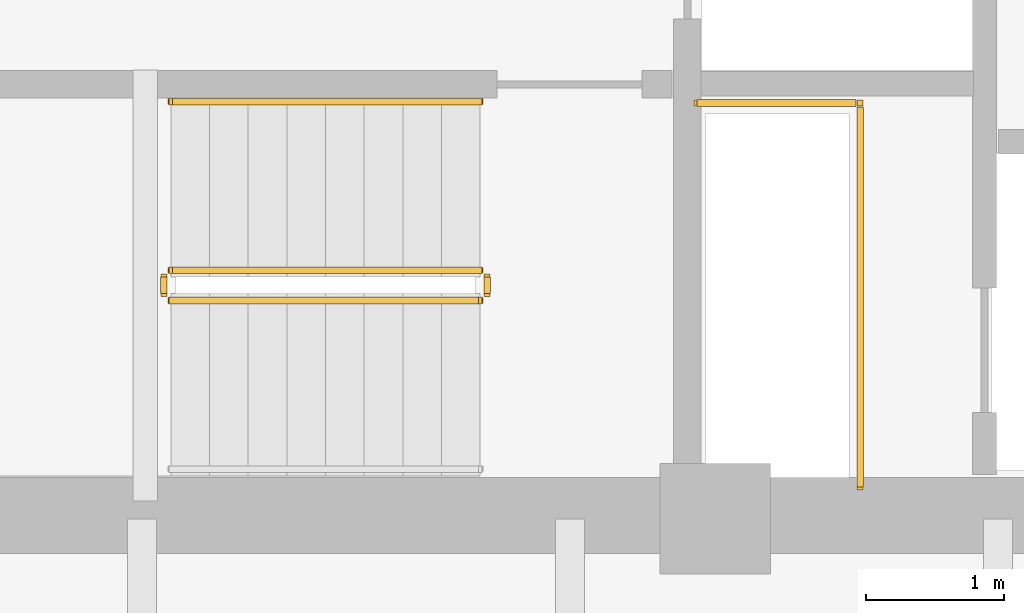
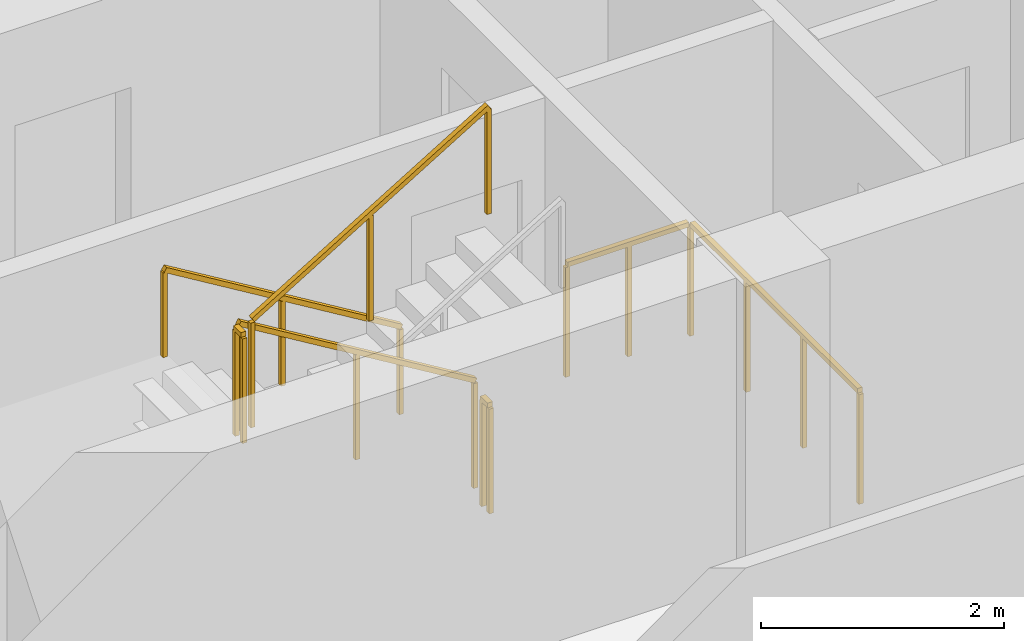
# One storey, part 9 of 13: 6 railings.
"""IFC4 building model written with IfcOpenShell, lengths in metres."""

from ifc_helpers import new_model, si_unit, direction, frame, origin, origin_2d, place, context, subcontext, project, spatial, rectangle, extrude, material, type_object, element, save


model = new_model("IFC4")

# Units and contexts
model_context = context("Model", 3, precision=1e-05, world=origin(), true_north=direction((0.0, 1.0)))
body_context = subcontext(model_context, "Body", "Model", "MODEL_VIEW")
ifc_project = project(units=[si_unit("LENGTHUNIT", "METRE"), si_unit("AREAUNIT", "SQUARE_METRE"), si_unit("VOLUMEUNIT", "CUBIC_METRE"), si_unit("PLANEANGLEUNIT", "RADIAN"), si_unit("MASSUNIT", "GRAM", prefix="KILO")], contexts=[model_context])

# Site, building, storey
site_placement = place(None, origin())
site = spatial("IfcSite", under=ifc_project, at=site_placement, CompositionType="ELEMENT")
building_placement = place(site_placement, origin())
building = spatial("IfcBuilding", under=site, at=building_placement, Name="Qhalaya Broadcast Tower", CompositionType="ELEMENT")
storey_placement = place(building_placement, frame((0.0, 0.0, 32.199951171875)))
storey = spatial("IfcBuildingStorey", under=building, at=storey_placement, Name="L08", CompositionType="ELEMENT", Elevation=32.199951171875)

# Railings
ifc_material = material(Name="Powder-Coated Galvanised Steel", Category="steel")
railing_type_1 = type_object("IfcRailingType", Name="Stair Wall Handrail 900", PredefinedType="HANDRAIL", material=ifc_material)
railing_1_placement = place(storey_placement, frame((-3.75, -5.72998046875, 0.16943359375)))
element("IfcRailing", 1, at=railing_1_placement, inside=storey, type_object=railing_type_1, Name="L08 ST-2 Stair Handrail 1", PredefinedType="HANDRAIL", context=body_context, shape_type="SweptSolid", body=[
    extrude(rectangle(XDim=0.048095703125, YDim=0.048095703125, at=origin_2d()), frame((0.0, 0.0, 0.8759765625), z_axis=(-0.855512035549, 0.0, 0.517782924622), x_axis=(0.0, -1.0, 0.0)), (0.0, 0.0, 1.0), 2.618408203125),
    extrude(rectangle(XDim=0.0419921875, YDim=0.0419921875, at=origin_2d()), origin(), (0.0, 0.0, 1.0), 0.849853515625),
    extrude(rectangle(XDim=0.0419921875, YDim=0.0419921875, at=origin_2d()), frame((-1.1201171875, 0.0, 0.677734375)), (0.0, 0.0, 1.0), 0.849853515625),
    extrude(rectangle(XDim=0.0419921875, YDim=0.0419921875, at=origin_2d()), frame((-2.239990234375, 0.0, 1.355712890625)), (0.0, 0.0, 1.0), 0.849853515625),
])
railing_type_2 = type_object("IfcRailingType", Name="Stair Well & Landing Guardrail 1100", PredefinedType="GUARDRAIL", material=ifc_material)
railing_2_placement = place(storey_placement, frame((-1.0, -8.52001953125, 0.0)))
element("IfcRailing", 2, at=railing_2_placement, inside=storey, type_object=railing_type_2, Name="L08 Service Riser Opening Safety Guard SRSR", PredefinedType="GUARDRAIL", context=body_context, shape_type="SweptSolid", body=[
    extrude(rectangle(XDim=0.048095703125, YDim=0.048095703125, at=origin_2d()), frame((0.0, 0.0, 1.1259765625), z_axis=(0.0, 1.0, 0.0), x_axis=(-1.0, 0.0, 0.0)), (0.0, 0.0, 1.0), 2.751220703125),
    extrude(rectangle(XDim=0.048095703125, YDim=0.048095703125, at=origin_2d()), frame((-0.02880859375, 2.780029296875, 1.1259765625), z_axis=(-1.0, 0.0, 0.0), x_axis=(0.0, -1.0, 0.0)), (0.0, 0.0, 1.0), 1.151123046875),
    extrude(rectangle(XDim=0.0419921875, YDim=0.0419921875, at=origin_2d()), origin(), (0.0, 0.0, 1.0), 1.099853515625),
    extrude(rectangle(XDim=0.0419921875, YDim=0.0419921875, at=origin_2d()), frame((0.0, 0.9267578125, 0.0)), (0.0, 0.0, 1.0), 1.099853515625),
    extrude(rectangle(XDim=0.0419921875, YDim=0.0419921875, at=origin_2d()), frame((0.0, 1.853271484375, 0.0)), (0.0, 0.0, 1.0), 1.099853515625),
    extrude(rectangle(XDim=0.0419921875, YDim=0.0419921875, at=origin_2d()), frame((0.0, 2.780029296875, 0.0)), (0.0, 0.0, 1.0), 1.099853515625),
    extrude(rectangle(XDim=0.0419921875, YDim=0.0419921875, at=origin_2d()), frame((-0.58984375, 2.780029296875, 0.0)), (0.0, 0.0, 1.0), 1.099853515625),
    extrude(rectangle(XDim=0.0419921875, YDim=0.0419921875, at=origin_2d()), frame((-1.179931640625, 2.780029296875, 0.0)), (0.0, 0.0, 1.0), 1.099853515625),
])
railing_3_placement = place(storey_placement, frame((-3.75, -6.949951171875, 0.16943359375)))
element("IfcRailing", 3, at=railing_3_placement, inside=storey, type_object=railing_type_2, Name="L08 ST-2 Stair Guard 1", PredefinedType="GUARDRAIL", context=body_context, shape_type="SweptSolid", body=[
    extrude(rectangle(XDim=0.048095703125, YDim=0.048095703125, at=origin_2d()), frame((0.0, 0.0, 1.076171875), z_axis=(-0.855512035549, 0.0, 0.517782924622), x_axis=(0.0, -1.0, 0.0)), (0.0, 0.0, 1.0), 2.618408203125),
    extrude(rectangle(XDim=0.0419921875, YDim=0.0419921875, at=origin_2d()), origin(), (0.0, 0.0, 1.0), 1.050048828125),
    extrude(rectangle(XDim=0.0419921875, YDim=0.0419921875, at=origin_2d()), frame((-1.1201171875, 0.0, 0.677734375)), (0.0, 0.0, 1.0), 1.050048828125),
    extrude(rectangle(XDim=0.0419921875, YDim=0.0419921875, at=origin_2d()), frame((-2.239990234375, 0.0, 1.355712890625)), (0.0, 0.0, 1.0), 1.050048828125),
])
railing_4_placement = place(storey_placement, frame((-6.0400390625, -7.0, 1.525146484375)))
element("IfcRailing", 4, at=railing_4_placement, inside=storey, type_object=railing_type_2, Name="L08 ST-2 Stair Guard 2", PredefinedType="GUARDRAIL", context=body_context, shape_type="SweptSolid", body=[
    extrude(rectangle(XDim=0.048095703125, YDim=0.048095703125, at=origin_2d()), frame((0.0, 0.0, 1.076171875), z_axis=(0.0, -1.0, 0.0), x_axis=(1.0, 0.0, 0.0)), (0.0, 0.0, 1.0), 0.1201171875),
    extrude(rectangle(XDim=0.0419921875, YDim=0.0419921875, at=origin_2d()), origin(), (0.0, 0.0, 1.0), 1.050048828125),
    extrude(rectangle(XDim=0.0419921875, YDim=0.0419921875, at=origin_2d()), frame((0.0, -0.1201171875, 0.0)), (0.0, 0.0, 1.0), 1.050048828125),
])
railing_5_placement = place(storey_placement, frame((-5.989990234375, -7.169921875, 1.694580078125)))
element("IfcRailing", 5, at=railing_5_placement, inside=storey, type_object=railing_type_2, Name="L08 ST-2 Stair Guard 3", PredefinedType="GUARDRAIL", context=body_context, shape_type="SweptSolid", body=[
    extrude(rectangle(XDim=0.048095703125, YDim=0.048095703125, at=origin_2d()), frame((0.0, 0.0, 1.076171875), z_axis=(0.855553338991, 0.0, 0.51771467445), x_axis=(0.0, 1.0, 0.0)), (0.0, 0.0, 1.0), 2.6181640625),
    extrude(rectangle(XDim=0.0419921875, YDim=0.0419921875, at=origin_2d()), origin(), (0.0, 0.0, 1.0), 1.050048828125),
    extrude(rectangle(XDim=0.0419921875, YDim=0.0419921875, at=origin_2d()), frame((1.1201171875, 0.0, 0.677734375)), (0.0, 0.0, 1.0), 1.050048828125),
    extrude(rectangle(XDim=0.0419921875, YDim=0.0419921875, at=origin_2d()), frame((2.239990234375, 0.0, 1.35546875)), (0.0, 0.0, 1.0), 1.050048828125),
])
railing_6_placement = place(storey_placement, frame((-3.699951171875, -7.0, 0.0)))
element("IfcRailing", 6, at=railing_6_placement, inside=storey, type_object=railing_type_2, Name="L08 ST-2 Stair Guard 4", PredefinedType="GUARDRAIL", context=body_context, shape_type="SweptSolid", body=[
    extrude(rectangle(XDim=0.048095703125, YDim=0.048095703125, at=origin_2d()), frame((0.0, 0.0, 1.076171875), z_axis=(0.0, -1.0, 0.0), x_axis=(1.0, 0.0, 0.0)), (0.0, 0.0, 1.0), 0.1201171875),
    extrude(rectangle(XDim=0.0419921875, YDim=0.0419921875, at=origin_2d()), origin(), (0.0, 0.0, 1.0), 1.050048828125),
    extrude(rectangle(XDim=0.0419921875, YDim=0.0419921875, at=origin_2d()), frame((0.0, -0.1201171875, 0.0)), (0.0, 0.0, 1.0), 1.050048828125),
])

save(model, "model.ifc")
